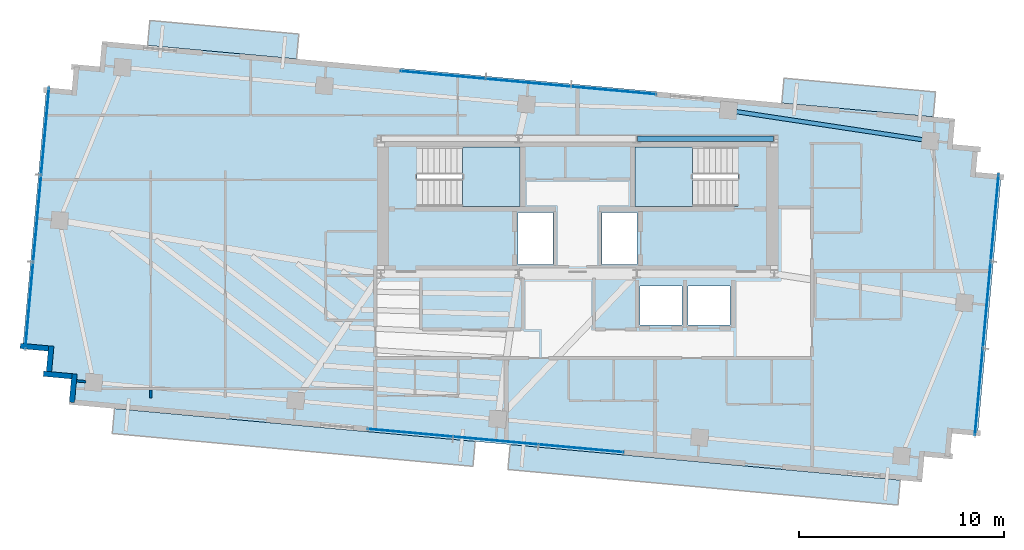
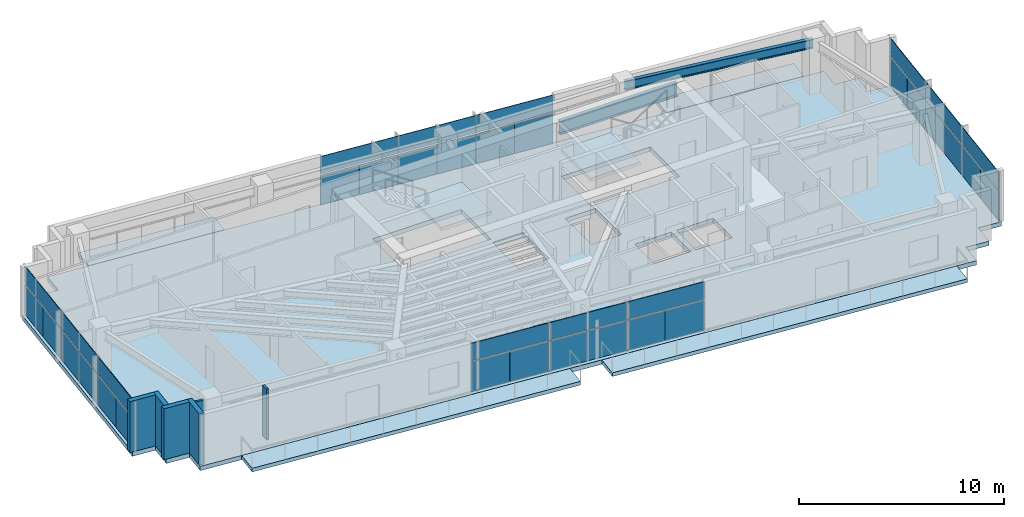
# One storey, part 15 of 22: 36 plates, 7 slabs, 6 walls, 2 beams, 6 elements without a shape of their own.
"""IFC4 building model written with IfcOpenShell, lengths in metres."""

from ifc_helpers import new_model, si_unit, direction, frame, frame_2d, origin, origin_2d, place, context, subcontext, project, spatial, polyline, rectangle, i_section, outline, extrude, source, transform, mapped, material, layer, layer_set, material_profile, profile_set, type_object, type_shapes, element, aggregate, save


model = new_model("IFC4")

# Units and contexts
model_context = context("Model", 3, precision=1e-05, world=origin(), true_north=direction((0.0, 1.0)))
body_context = subcontext(model_context, "Body", "Model", "MODEL_VIEW")
ifc_project = project(units=[si_unit("LENGTHUNIT", "METRE"), si_unit("AREAUNIT", "SQUARE_METRE"), si_unit("VOLUMEUNIT", "CUBIC_METRE"), si_unit("PLANEANGLEUNIT", "RADIAN"), si_unit("MASSUNIT", "GRAM", prefix="KILO")], contexts=[model_context])

# Site, building, storey
site_placement = place(None, origin())
site = spatial("IfcSite", under=ifc_project, at=site_placement, CompositionType="ELEMENT")
building_placement = place(site_placement, origin())
building = spatial("IfcBuilding", under=site, at=building_placement, Name="Astriad Promenade Condominiums", CompositionType="ELEMENT")
storey_placement = place(building_placement, frame((0.0, 0.0, 236.39990234375)))
storey = spatial("IfcBuildingStorey", under=building, at=storey_placement, Name="L68", CompositionType="ELEMENT", Elevation=236.39990234375)

# Beams
ifc_material_1 = material(Name="Steel ASTM A992 Grade 50", Category="steel")
ifc_material_profile_1 = material_profile(ifc_material_1, i_section(OverallWidth=0.267822265625, OverallDepth=0.76953125, WebThickness=0.015625, FlangeThickness=0.025390625, FilletRadius=0.021484375, at=origin_2d()), Name="W30X132")
ifc_profile_set_1 = profile_set([ifc_material_profile_1], Name="Steel ASTM A992 Grade 50")
beam_type_1 = type_object("IfcBeamType", Name="STEEL FLOOR GIRDER W30X132", PredefinedType="BEAM", material=ifc_profile_set_1)
shared_shape_1 = source(origin(), body_context, "Body", "SweptSolid", [
    extrude(i_section(OverallWidth=0.267822265625, OverallDepth=0.76953125, WebThickness=0.015625, FlangeThickness=0.025390625, FilletRadius=0.021484375, at=origin_2d()), origin(), (0.0, 0.0, 1.0), 6.64013671875),
])
type_shapes(beam_type_1, [shared_shape_1])
beam_1_placement = place(storey_placement, frame((38.919921875, 24.0, 2.6552734375), z_axis=(1.0, 0.0, 0.0), x_axis=(0.0, 1.0, 0.0)))
element("IfcBeam", 1, at=beam_1_placement, inside=storey, type_object=beam_type_1, Name="Core Ring Beam CG-N3-L68", PredefinedType="BEAM", context=body_context, shape_type="MappedRepresentation", body=[
    mapped(shared_shape_1, transform((0.0, 0.0, 0.0), scale=1.0)),
])
ifc_material_profile_2 = material_profile(ifc_material_1, i_section(OverallWidth=0.210693359375, OverallDepth=0.53955078125, WebThickness=0.01171875, FlangeThickness=0.018798828125, FilletRadius=0.0166015625, at=origin_2d()), Name="W21X73")
ifc_profile_set_2 = profile_set([ifc_material_profile_2], Name="Steel ASTM A992 Grade 50")
beam_type_2 = type_object("IfcBeamType", Name="STEEL SPANDREL BEAM W21X73", PredefinedType="SPANDREL", material=ifc_profile_set_2)
shared_shape_2 = source(origin(), body_context, "Body", "SweptSolid", [
    extrude(i_section(OverallWidth=0.210693359375, OverallDepth=0.53955078125, WebThickness=0.01171875, FlangeThickness=0.018798828125, FilletRadius=0.0166015625, at=origin_2d()), origin(), (0.0, 0.0, 1.0), 9.890869140625),
])
type_shapes(beam_type_2, [shared_shape_2])
beam_2_placement = place(storey_placement, frame((53.1787109375, 23.899658203125, 2.7705078125), z_axis=(-0.988827455442, 0.149064628143, 0.0), x_axis=(-0.149064628143, -0.988827455442, 0.0)))
element("IfcBeam", 2, at=beam_2_placement, inside=storey, type_object=beam_type_2, Name="Perimeter Spandrel Beam SP-N4-L68", PredefinedType="SPANDREL", context=body_context, shape_type="MappedRepresentation", body=[
    mapped(shared_shape_2, transform((0.0, 0.0, 0.0), scale=1.0)),
])

# Slab
ifc_material_2 = material(Name="Concrete C50/60", Category="concrete")
ifc_layer_1 = layer(ifc_material_2, 0.260009765625)
ifc_layer_set_1 = layer_set([ifc_layer_1], Name="Concrete C50/60")
slab_type_1 = type_object("IfcSlabType", Name="CONCRETE TOWER FLOOR SLAB 260", PredefinedType="FLOOR", material=ifc_layer_set_1)
slab_1_placement = place(storey_placement, frame((0.0, 0.0, -0.260009765625)))
element("IfcSlab", 3, at=slab_1_placement, inside=storey, type_object=slab_type_1, Name="Structural Floor Slab (L68)", PredefinedType="FLOOR", context=body_context, shape_type="SweptSolid", body=[
    extrude(outline(polyline([(11.179443359375, 11.03076171875), (52.807373046875, 7.242431640625), (52.920654296875, 8.4873046875), (54.16552734375, 8.3740234375), (54.27880859375, 9.618896484375), (55.523681640625, 9.505615234375), (56.68359375, 22.2529296875), (55.43896484375, 22.3662109375), (55.55224609375, 23.611083984375), (54.307373046875, 23.724365234375), (54.420654296875, 24.96923828125), (12.79248046875, 28.757568359375), (12.679443359375, 27.5126953125), (11.4345703125, 27.6259765625), (11.3212890625, 26.381103515625), (10.076416015625, 26.494384765625), (8.916259765625, 13.7470703125), (10.1611328125, 13.6337890625), (10.0478515625, 12.388916015625), (11.292724609375, 12.275634765625), (11.179443359375, 11.03076171875)]), holes=[polyline([(28.175048828125, 20.699951171875), (33.175048828125, 20.699951171875), (33.175048828125, 23.60009765625), (28.175048828125, 23.60009765625), (28.175048828125, 20.699951171875)]), polyline([(38.824951171875, 20.699951171875), (43.824951171875, 20.699951171875), (43.824951171875, 23.60009765625), (38.824951171875, 23.60009765625), (38.824951171875, 20.699951171875)]), polyline([(33.10009765625, 17.85009765625), (34.800048828125, 17.85009765625), (34.800048828125, 20.39990234375), (33.10009765625, 20.39990234375), (33.10009765625, 17.85009765625)]), polyline([(37.199951171875, 17.85009765625), (38.89990234375, 17.85009765625), (38.89990234375, 20.39990234375), (37.199951171875, 20.39990234375), (37.199951171875, 17.85009765625)]), polyline([(39.050048828125, 14.89990234375), (41.10009765625, 14.89990234375), (41.10009765625, 16.800048828125), (39.050048828125, 16.800048828125), (39.050048828125, 14.89990234375)]), polyline([(41.39990234375, 14.89990234375), (43.449951171875, 14.89990234375), (43.449951171875, 16.800048828125), (41.39990234375, 16.800048828125), (41.39990234375, 14.89990234375)])]), origin(), (0.0, 0.0, 1.0), 0.260009765625),
])

# Stair, slab
stair_type = type_object("IfcStairType", Name="STR-CORE-1350", PredefinedType="HALF_TURN_STAIR", material=ifc_material_2)
stair_1_placement = place(storey_placement, origin())
stair_1 = element("IfcStair", 4, at=stair_1_placement, inside=storey, type_object=stair_type, Name="L68 Enclosed Core Exit Stair ST-1", PredefinedType="HALF_TURN_STAIR")
ifc_layer_2 = layer(ifc_material_2, 0.219970703125)
ifc_layer_set_2 = layer_set([ifc_layer_2], Name="Concrete C50/60")
slab_type_2 = type_object("IfcSlabType", Name="SLB-LANDING-220", PredefinedType="LANDING", material=ifc_layer_set_2)
slab_2_placement = place(storey_placement, frame((0.0, 0.0, 1.4501953125)))
slab_2 = element("IfcSlab", 5, at=slab_2_placement, type_object=slab_type_2, Name="ST-1 landing 1", PredefinedType="LANDING", context=body_context, shape_type="SweptSolid", body=[
    extrude(outline(polyline([(30.389892578125, 20.699951171875), (33.199951171875, 20.699951171875), (33.199951171875, 23.60009765625), (30.389892578125, 23.60009765625), (30.389892578125, 20.699951171875)])), origin(), (0.0, 0.0, 1.0), 0.199951171875),
])
aggregate(stair_1, [slab_2])

stair_2_placement = place(storey_placement, origin())
stair_2 = element("IfcStair", 6, at=stair_2_placement, inside=storey, type_object=stair_type, Name="L68 Enclosed Core Exit Stair ST-2", PredefinedType="HALF_TURN_STAIR")
slab_3_placement = place(storey_placement, frame((0.0, 0.0, 1.4501953125)))
slab_3 = element("IfcSlab", 7, at=slab_3_placement, type_object=slab_type_2, Name="ST-2 landing 1", PredefinedType="LANDING", context=body_context, shape_type="SweptSolid", body=[
    extrude(outline(polyline([(41.610107421875, 23.60009765625), (38.800048828125, 23.60009765625), (38.800048828125, 20.699951171875), (41.610107421875, 20.699951171875), (41.610107421875, 23.60009765625)])), origin(), (0.0, 0.0, 1.0), 0.199951171875),
])
aggregate(stair_2, [slab_3])

# Slabs
ifc_material_3 = material(Name="Precast concrete C50/60", Category="concrete")
ifc_layer_3 = layer(ifc_material_3, 0.219970703125)
ifc_layer_set_3 = layer_set([ifc_layer_3], Name="Precast concrete C50/60")
slab_type_3 = type_object("IfcSlabType", Name="WHITE PRECAST CONCRETE WAVE BALCONY SLAB 220", PredefinedType="FLOOR", material=ifc_layer_set_3)
slab_4_placement = place(storey_placement, frame((0.0, 0.0, -0.219970703125)))
element("IfcSlab", 8, at=slab_4_placement, inside=storey, type_object=slab_type_3, Name="White Precast Wave Balcony Slab BAL-L68-SW", PredefinedType="FLOOR", context=body_context, shape_type="SweptSolid", body=[
    extrude(outline(polyline([(30.892822265625, 8.01171875), (13.29052734375, 9.61376953125), (13.40087890625, 10.82666015625), (31.00341796875, 9.224609375), (30.892822265625, 8.01171875)])), origin(), (0.0, 0.0, 1.0), 0.219970703125),
])
slab_5_placement = place(storey_placement, frame((0.0, 0.0, -0.219970703125)))
element("IfcSlab", 9, at=slab_5_placement, inside=storey, type_object=slab_type_3, Name="White Precast Wave Balcony Slab BAL-L68-SE", PredefinedType="FLOOR", context=body_context, shape_type="SweptSolid", body=[
    extrude(outline(polyline([(51.63623046875, 6.1240234375), (32.601806640625, 7.856201171875), (32.712158203125, 9.069091796875), (51.74658203125, 7.3369140625), (51.63623046875, 6.1240234375)])), origin(), (0.0, 0.0, 1.0), 0.219970703125),
])
slab_6_placement = place(storey_placement, frame((0.0, 0.0, -0.219970703125)))
element("IfcSlab", 10, at=slab_6_placement, inside=storey, type_object=slab_type_3, Name="White Precast Wave Balcony Slab BAL-L68-NW", PredefinedType="FLOOR", context=body_context, shape_type="SweptSolid", body=[
    extrude(outline(polyline([(15.014404296875, 28.555419921875), (22.283447265625, 27.893798828125), (22.39404296875, 29.10888671875), (15.125, 29.7705078125), (15.014404296875, 28.555419921875)])), origin(), (0.0, 0.0, 1.0), 0.219970703125),
])
slab_7_placement = place(storey_placement, frame((0.0, 0.0, -0.219970703125)))
element("IfcSlab", 11, at=slab_7_placement, inside=storey, type_object=slab_type_3, Name="White Precast Wave Balcony Slab BAL-L68-NE", PredefinedType="FLOOR", context=body_context, shape_type="SweptSolid", body=[
    extrude(outline(polyline([(46.076171875, 26.95361328125), (53.470703125, 26.28076171875), (53.360107421875, 25.067626953125), (45.9658203125, 25.740478515625), (46.076171875, 26.95361328125)])), origin(), (0.0, 0.0, 1.0), 0.219970703125),
])

# Curtain wall, plates
ifc_material_4 = material(Name="Anodised aluminium Black Dark Glass Unitised", Category="aluminium")
curtain_wall_type = type_object("IfcCurtainWallType", Name="CW-B5-DARK", PredefinedType="USERDEFINED", material=ifc_material_4)
curtain_wall_1_placement = place(storey_placement, origin())
curtain_wall_1 = element("IfcCurtainWall", 12, at=curtain_wall_1_placement, inside=storey, type_object=curtain_wall_type, Name="CW-L68-W", ObjectType="UNITISED_CURTAIN_WALL", PredefinedType="USERDEFINED")
ifc_material_5 = material(Name="Dark Tinted Low-E Laminated Glass", Category="glass")
ifc_layer_4 = layer(ifc_material_5, 0.035888671875)
ifc_layer_set_4 = layer_set([ifc_layer_4], Name="Dark Tinted Low-E Laminated Glass")
plate_type = type_object("IfcPlateType", Name="PNL-DARK-GLASS-36", PredefinedType="CURTAIN_PANEL", material=ifc_layer_set_4)
shared_shape_3 = source(origin(), body_context, "Body", "SweptSolid", [
    extrude(rectangle(XDim=2.121337890625, YDim=0.035888671875, at=origin_2d()), origin(), (0.0, 0.0, 1.0), 1.764892578125),
])
plate_1_placement = place(storey_placement, frame((9.142578125, 14.797607421875, 0.080078125), z_axis=(0.0, 0.0, 1.0), x_axis=(0.090632580198, 0.995884398616, 0.0)))
plate_1 = element("IfcPlate", 13, at=plate_1_placement, type_object=plate_type, Name="CW-L68-W-PNL-00-VL", PredefinedType="CURTAIN_PANEL", context=body_context, shape_type="MappedRepresentation", body=[
    mapped(shared_shape_3, transform((0.0, 0.0, 0.0), scale=1.0)),
])
plate_2_placement = place(storey_placement, frame((9.335693359375, 16.922119140625, 0.080078125), z_axis=(0.0, 0.0, 1.0), x_axis=(0.090632580198, 0.995884398616, 0.0)))
plate_2 = element("IfcPlate", 14, at=plate_2_placement, type_object=plate_type, Name="CW-L68-W-PNL-00-VR", PredefinedType="CURTAIN_PANEL", context=body_context, shape_type="MappedRepresentation", body=[
    mapped(shared_shape_3, transform((0.0, 0.0, 0.0), scale=1.0)),
])
plate_3_placement = place(storey_placement, frame((9.529296875, 19.046630859375, 0.080078125), z_axis=(0.0, 0.0, 1.0), x_axis=(0.090632580198, 0.995884398616, 0.0)))
plate_3 = element("IfcPlate", 15, at=plate_3_placement, type_object=plate_type, Name="CW-L68-W-PNL-01-VL", PredefinedType="CURTAIN_PANEL", context=body_context, shape_type="MappedRepresentation", body=[
    mapped(shared_shape_3, transform((0.0, 0.0, 0.0), scale=1.0)),
])
plate_4_placement = place(storey_placement, frame((9.722412109375, 21.17138671875, 0.080078125), z_axis=(0.0, 0.0, 1.0), x_axis=(0.090632580198, 0.995884398616, 0.0)))
plate_4 = element("IfcPlate", 16, at=plate_4_placement, type_object=plate_type, Name="CW-L68-W-PNL-01-VR", PredefinedType="CURTAIN_PANEL", context=body_context, shape_type="MappedRepresentation", body=[
    mapped(shared_shape_3, transform((0.0, 0.0, 0.0), scale=1.0)),
])
plate_5_placement = place(storey_placement, frame((9.916015625, 23.2958984375, 0.080078125), z_axis=(0.0, 0.0, 1.0), x_axis=(0.090632580198, 0.995884398616, 0.0)))
plate_5 = element("IfcPlate", 17, at=plate_5_placement, type_object=plate_type, Name="CW-L68-W-PNL-02-VL", PredefinedType="CURTAIN_PANEL", context=body_context, shape_type="MappedRepresentation", body=[
    mapped(shared_shape_3, transform((0.0, 0.0, 0.0), scale=1.0)),
])
plate_6_placement = place(storey_placement, frame((10.109130859375, 25.42041015625, 0.080078125), z_axis=(0.0, 0.0, 1.0), x_axis=(0.090632580198, 0.995884398616, 0.0)))
plate_6 = element("IfcPlate", 18, at=plate_6_placement, type_object=plate_type, Name="CW-L68-W-PNL-02-VR", PredefinedType="CURTAIN_PANEL", context=body_context, shape_type="MappedRepresentation", body=[
    mapped(shared_shape_3, transform((0.0, 0.0, 0.0), scale=1.0)),
])

curtain_wall_2_placement = place(storey_placement, origin())
curtain_wall_2 = element("IfcCurtainWall", 19, at=curtain_wall_2_placement, inside=storey, type_object=curtain_wall_type, Name="CW-L68-E", ObjectType="UNITISED_CURTAIN_WALL", PredefinedType="USERDEFINED")
plate_7_placement = place(storey_placement, frame((56.45751953125, 21.202392578125, 0.080078125), z_axis=(0.0, 0.0, 1.0), x_axis=(-0.090632580198, -0.995884398616, 0.0)))
plate_7 = element("IfcPlate", 20, at=plate_7_placement, type_object=plate_type, Name="CW-L68-E-PNL-00-VL", PredefinedType="CURTAIN_PANEL", context=body_context, shape_type="MappedRepresentation", body=[
    mapped(shared_shape_3, transform((0.0, 0.0, 0.0), scale=1.0)),
])
plate_8_placement = place(storey_placement, frame((56.26416015625, 19.077880859375, 0.080078125), z_axis=(0.0, 0.0, 1.0), x_axis=(-0.090632580198, -0.995884398616, 0.0)))
plate_8 = element("IfcPlate", 21, at=plate_8_placement, type_object=plate_type, Name="CW-L68-E-PNL-00-VR", PredefinedType="CURTAIN_PANEL", context=body_context, shape_type="MappedRepresentation", body=[
    mapped(shared_shape_3, transform((0.0, 0.0, 0.0), scale=1.0)),
])
plate_9_placement = place(storey_placement, frame((56.07080078125, 16.953369140625, 0.080078125), z_axis=(0.0, 0.0, 1.0), x_axis=(-0.090632580198, -0.995884398616, 0.0)))
plate_9 = element("IfcPlate", 22, at=plate_9_placement, type_object=plate_type, Name="CW-L68-E-PNL-01-VL", PredefinedType="CURTAIN_PANEL", context=body_context, shape_type="MappedRepresentation", body=[
    mapped(shared_shape_3, transform((0.0, 0.0, 0.0), scale=1.0)),
])
plate_10_placement = place(storey_placement, frame((55.87744140625, 14.82861328125, 0.080078125), z_axis=(0.0, 0.0, 1.0), x_axis=(-0.090632580198, -0.995884398616, 0.0)))
plate_10 = element("IfcPlate", 23, at=plate_10_placement, type_object=plate_type, Name="CW-L68-E-PNL-01-VR", PredefinedType="CURTAIN_PANEL", context=body_context, shape_type="MappedRepresentation", body=[
    mapped(shared_shape_3, transform((0.0, 0.0, 0.0), scale=1.0)),
])
plate_11_placement = place(storey_placement, frame((55.68408203125, 12.7041015625, 0.080078125), z_axis=(0.0, 0.0, 1.0), x_axis=(-0.090632580198, -0.995884398616, 0.0)))
plate_11 = element("IfcPlate", 24, at=plate_11_placement, type_object=plate_type, Name="CW-L68-E-PNL-02-VL", PredefinedType="CURTAIN_PANEL", context=body_context, shape_type="MappedRepresentation", body=[
    mapped(shared_shape_3, transform((0.0, 0.0, 0.0), scale=1.0)),
])
plate_12_placement = place(storey_placement, frame((55.49072265625, 10.57958984375, 0.080078125), z_axis=(0.0, 0.0, 1.0), x_axis=(-0.090632580198, -0.995884398616, 0.0)))
plate_12 = element("IfcPlate", 25, at=plate_12_placement, type_object=plate_type, Name="CW-L68-E-PNL-02-VR", PredefinedType="CURTAIN_PANEL", context=body_context, shape_type="MappedRepresentation", body=[
    mapped(shared_shape_3, transform((0.0, 0.0, 0.0), scale=1.0)),
])

# Plate
shared_shape_4 = source(origin(), body_context, "Body", "SweptSolid", [
    extrude(rectangle(XDim=4.254638671875, YDim=0.035888671875, at=origin_2d()), origin(), (0.0, 0.0, 1.0), 1.03515625),
])
plate_13_placement = place(storey_placement, frame((9.239013671875, 15.85986328125, 1.9248046875), z_axis=(0.0, 0.0, 1.0), x_axis=(0.090632580198, 0.995884398616, 0.0)))
plate_13 = element("IfcPlate", 26, at=plate_13_placement, type_object=plate_type, Name="CW-L68-W-PNL-00-S", PredefinedType="CURTAIN_PANEL", context=body_context, shape_type="MappedRepresentation", body=[
    mapped(shared_shape_4, transform((0.0, 0.0, 0.0), scale=1.0)),
])

plate_14_placement = place(storey_placement, frame((9.625732421875, 20.10888671875, 1.9248046875), z_axis=(0.0, 0.0, 1.0), x_axis=(0.090632580198, 0.995884398616, 0.0)))
plate_14 = element("IfcPlate", 27, at=plate_14_placement, type_object=plate_type, Name="CW-L68-W-PNL-01-S", PredefinedType="CURTAIN_PANEL", context=body_context, shape_type="MappedRepresentation", body=[
    mapped(shared_shape_4, transform((0.0, 0.0, 0.0), scale=1.0)),
])

plate_15_placement = place(storey_placement, frame((10.0126953125, 24.358154296875, 1.9248046875), z_axis=(0.0, 0.0, 1.0), x_axis=(0.090632580198, 0.995884398616, 0.0)))
plate_15 = element("IfcPlate", 28, at=plate_15_placement, type_object=plate_type, Name="CW-L68-W-PNL-02-S", PredefinedType="CURTAIN_PANEL", context=body_context, shape_type="MappedRepresentation", body=[
    mapped(shared_shape_4, transform((0.0, 0.0, 0.0), scale=1.0)),
])

aggregate(curtain_wall_1, [plate_1, plate_2, plate_13, plate_3, plate_4, plate_14, plate_5, plate_6, plate_15])

plate_16_placement = place(storey_placement, frame((56.36083984375, 20.14013671875, 1.9248046875), z_axis=(0.0, 0.0, 1.0), x_axis=(-0.090632580198, -0.995884398616, 0.0)))
plate_16 = element("IfcPlate", 29, at=plate_16_placement, type_object=plate_type, Name="CW-L68-E-PNL-00-S", PredefinedType="CURTAIN_PANEL", context=body_context, shape_type="MappedRepresentation", body=[
    mapped(shared_shape_4, transform((0.0, 0.0, 0.0), scale=1.0)),
])

plate_17_placement = place(storey_placement, frame((55.97412109375, 15.89111328125, 1.9248046875), z_axis=(0.0, 0.0, 1.0), x_axis=(-0.090632580198, -0.995884398616, 0.0)))
plate_17 = element("IfcPlate", 30, at=plate_17_placement, type_object=plate_type, Name="CW-L68-E-PNL-01-S", PredefinedType="CURTAIN_PANEL", context=body_context, shape_type="MappedRepresentation", body=[
    mapped(shared_shape_4, transform((0.0, 0.0, 0.0), scale=1.0)),
])

plate_18_placement = place(storey_placement, frame((55.58740234375, 11.641845703125, 1.9248046875), z_axis=(0.0, 0.0, 1.0), x_axis=(-0.090632580198, -0.995884398616, 0.0)))
plate_18 = element("IfcPlate", 31, at=plate_18_placement, type_object=plate_type, Name="CW-L68-E-PNL-02-S", PredefinedType="CURTAIN_PANEL", context=body_context, shape_type="MappedRepresentation", body=[
    mapped(shared_shape_4, transform((0.0, 0.0, 0.0), scale=1.0)),
])

aggregate(curtain_wall_2, [plate_7, plate_8, plate_16, plate_9, plate_10, plate_17, plate_11, plate_12, plate_18])

# Curtain wall, plates
curtain_wall_3_placement = place(storey_placement, origin())
curtain_wall_3 = element("IfcCurtainWall", 32, at=curtain_wall_3_placement, inside=storey, type_object=curtain_wall_type, Name="CW-L68-N", ObjectType="UNITISED_CURTAIN_WALL", PredefinedType="USERDEFINED")
shared_shape_5 = source(origin(), body_context, "Body", "SweptSolid", [
    extrude(rectangle(XDim=2.077880859375, YDim=0.035888671875, at=origin_2d()), origin(), (0.0, 0.0, 1.0), 1.764892578125),
])
plate_19_placement = place(storey_placement, frame((28.391357421875, 27.20751953125, 0.080078125), z_axis=(0.0, 0.0, 1.0), x_axis=(0.995884398616, -0.090632580198, 0.0)))
plate_19 = element("IfcPlate", 33, at=plate_19_placement, type_object=plate_type, Name="CW-L68-N-PNL-00-VL", PredefinedType="CURTAIN_PANEL", context=body_context, shape_type="MappedRepresentation", body=[
    mapped(shared_shape_5, transform((0.0, 0.0, 0.0), scale=1.0)),
])
plate_20_placement = place(storey_placement, frame((30.47265625, 27.01806640625, 0.080078125), z_axis=(0.0, 0.0, 1.0), x_axis=(0.995884398616, -0.090632580198, 0.0)))
plate_20 = element("IfcPlate", 34, at=plate_20_placement, type_object=plate_type, Name="CW-L68-N-PNL-00-VR", PredefinedType="CURTAIN_PANEL", context=body_context, shape_type="MappedRepresentation", body=[
    mapped(shared_shape_5, transform((0.0, 0.0, 0.0), scale=1.0)),
])
plate_21_placement = place(storey_placement, frame((32.55419921875, 26.82861328125, 0.080078125), z_axis=(0.0, 0.0, 1.0), x_axis=(0.995884398616, -0.090632580198, 0.0)))
plate_21 = element("IfcPlate", 35, at=plate_21_placement, type_object=plate_type, Name="CW-L68-N-PNL-01-VL", PredefinedType="CURTAIN_PANEL", context=body_context, shape_type="MappedRepresentation", body=[
    mapped(shared_shape_5, transform((0.0, 0.0, 0.0), scale=1.0)),
])
plate_22_placement = place(storey_placement, frame((34.635498046875, 26.63916015625, 0.080078125), z_axis=(0.0, 0.0, 1.0), x_axis=(0.995884398616, -0.090632580198, 0.0)))
plate_22 = element("IfcPlate", 36, at=plate_22_placement, type_object=plate_type, Name="CW-L68-N-PNL-01-VR", PredefinedType="CURTAIN_PANEL", context=body_context, shape_type="MappedRepresentation", body=[
    mapped(shared_shape_5, transform((0.0, 0.0, 0.0), scale=1.0)),
])
plate_23_placement = place(storey_placement, frame((36.716796875, 26.44970703125, 0.080078125), z_axis=(0.0, 0.0, 1.0), x_axis=(0.995884398616, -0.090632580198, 0.0)))
plate_23 = element("IfcPlate", 37, at=plate_23_placement, type_object=plate_type, Name="CW-L68-N-PNL-02-VL", PredefinedType="CURTAIN_PANEL", context=body_context, shape_type="MappedRepresentation", body=[
    mapped(shared_shape_5, transform((0.0, 0.0, 0.0), scale=1.0)),
])
plate_24_placement = place(storey_placement, frame((38.79833984375, 26.26025390625, 0.080078125), z_axis=(0.0, 0.0, 1.0), x_axis=(0.995884398616, -0.090632580198, 0.0)))
plate_24 = element("IfcPlate", 38, at=plate_24_placement, type_object=plate_type, Name="CW-L68-N-PNL-02-VR", PredefinedType="CURTAIN_PANEL", context=body_context, shape_type="MappedRepresentation", body=[
    mapped(shared_shape_5, transform((0.0, 0.0, 0.0), scale=1.0)),
])

curtain_wall_4_placement = place(storey_placement, origin())
curtain_wall_4 = element("IfcCurtainWall", 39, at=curtain_wall_4_placement, inside=storey, type_object=curtain_wall_type, Name="CW-L68-S", ObjectType="UNITISED_CURTAIN_WALL", PredefinedType="USERDEFINED")
plate_25_placement = place(storey_placement, frame((37.208740234375, 8.79248046875, 0.080078125), z_axis=(0.0, 0.0, 1.0), x_axis=(-0.995884398616, 0.090632580198, 0.0)))
plate_25 = element("IfcPlate", 40, at=plate_25_placement, type_object=plate_type, Name="CW-L68-S-PNL-00-VL", PredefinedType="CURTAIN_PANEL", context=body_context, shape_type="MappedRepresentation", body=[
    mapped(shared_shape_5, transform((0.0, 0.0, 0.0), scale=1.0)),
])
plate_26_placement = place(storey_placement, frame((35.127197265625, 8.98193359375, 0.080078125), z_axis=(0.0, 0.0, 1.0), x_axis=(-0.995884398616, 0.090632580198, 0.0)))
plate_26 = element("IfcPlate", 41, at=plate_26_placement, type_object=plate_type, Name="CW-L68-S-PNL-00-VR", PredefinedType="CURTAIN_PANEL", context=body_context, shape_type="MappedRepresentation", body=[
    mapped(shared_shape_5, transform((0.0, 0.0, 0.0), scale=1.0)),
])
plate_27_placement = place(storey_placement, frame((33.0458984375, 9.17138671875, 0.080078125), z_axis=(0.0, 0.0, 1.0), x_axis=(-0.995884398616, 0.090632580198, 0.0)))
plate_27 = element("IfcPlate", 42, at=plate_27_placement, type_object=plate_type, Name="CW-L68-S-PNL-01-VL", PredefinedType="CURTAIN_PANEL", context=body_context, shape_type="MappedRepresentation", body=[
    mapped(shared_shape_5, transform((0.0, 0.0, 0.0), scale=1.0)),
])
plate_28_placement = place(storey_placement, frame((30.964599609375, 9.36083984375, 0.080078125), z_axis=(0.0, 0.0, 1.0), x_axis=(-0.995884398616, 0.090632580198, 0.0)))
plate_28 = element("IfcPlate", 43, at=plate_28_placement, type_object=plate_type, Name="CW-L68-S-PNL-01-VR", PredefinedType="CURTAIN_PANEL", context=body_context, shape_type="MappedRepresentation", body=[
    mapped(shared_shape_5, transform((0.0, 0.0, 0.0), scale=1.0)),
])
plate_29_placement = place(storey_placement, frame((28.883056640625, 9.55029296875, 0.080078125), z_axis=(0.0, 0.0, 1.0), x_axis=(-0.995884398616, 0.090632580198, 0.0)))
plate_29 = element("IfcPlate", 44, at=plate_29_placement, type_object=plate_type, Name="CW-L68-S-PNL-02-VL", PredefinedType="CURTAIN_PANEL", context=body_context, shape_type="MappedRepresentation", body=[
    mapped(shared_shape_5, transform((0.0, 0.0, 0.0), scale=1.0)),
])
plate_30_placement = place(storey_placement, frame((26.8017578125, 9.73974609375, 0.080078125), z_axis=(0.0, 0.0, 1.0), x_axis=(-0.995884398616, 0.090632580198, 0.0)))
plate_30 = element("IfcPlate", 45, at=plate_30_placement, type_object=plate_type, Name="CW-L68-S-PNL-02-VR", PredefinedType="CURTAIN_PANEL", context=body_context, shape_type="MappedRepresentation", body=[
    mapped(shared_shape_5, transform((0.0, 0.0, 0.0), scale=1.0)),
])

# Plate
shared_shape_6 = source(origin(), body_context, "Body", "SweptSolid", [
    extrude(rectangle(XDim=4.16796875, YDim=0.035888671875, at=origin_2d()), origin(), (0.0, 0.0, 1.0), 1.03515625),
])
type_shapes(plate_type, [shared_shape_3, shared_shape_4, shared_shape_5, shared_shape_6])
plate_31_placement = place(storey_placement, frame((29.431884765625, 27.11279296875, 1.9248046875), z_axis=(0.0, 0.0, 1.0), x_axis=(0.995884398616, -0.090632580198, 0.0)))
plate_31 = element("IfcPlate", 46, at=plate_31_placement, type_object=plate_type, Name="CW-L68-N-PNL-00-S", PredefinedType="CURTAIN_PANEL", context=body_context, shape_type="MappedRepresentation", body=[
    mapped(shared_shape_6, transform((0.0, 0.0, 0.0), scale=1.0)),
])

plate_32_placement = place(storey_placement, frame((33.5947265625, 26.73388671875, 1.9248046875), z_axis=(0.0, 0.0, 1.0), x_axis=(0.995884398616, -0.090632580198, 0.0)))
plate_32 = element("IfcPlate", 47, at=plate_32_placement, type_object=plate_type, Name="CW-L68-N-PNL-01-S", PredefinedType="CURTAIN_PANEL", context=body_context, shape_type="MappedRepresentation", body=[
    mapped(shared_shape_6, transform((0.0, 0.0, 0.0), scale=1.0)),
])

plate_33_placement = place(storey_placement, frame((37.757568359375, 26.35498046875, 1.9248046875), z_axis=(0.0, 0.0, 1.0), x_axis=(0.995884398616, -0.090632580198, 0.0)))
plate_33 = element("IfcPlate", 48, at=plate_33_placement, type_object=plate_type, Name="CW-L68-N-PNL-02-S", PredefinedType="CURTAIN_PANEL", context=body_context, shape_type="MappedRepresentation", body=[
    mapped(shared_shape_6, transform((0.0, 0.0, 0.0), scale=1.0)),
])

aggregate(curtain_wall_3, [plate_19, plate_20, plate_31, plate_21, plate_22, plate_32, plate_23, plate_24, plate_33])

plate_34_placement = place(storey_placement, frame((36.16796875, 8.88720703125, 1.9248046875), z_axis=(0.0, 0.0, 1.0), x_axis=(-0.995884398616, 0.090632580198, 0.0)))
plate_34 = element("IfcPlate", 49, at=plate_34_placement, type_object=plate_type, Name="CW-L68-S-PNL-00-S", PredefinedType="CURTAIN_PANEL", context=body_context, shape_type="MappedRepresentation", body=[
    mapped(shared_shape_6, transform((0.0, 0.0, 0.0), scale=1.0)),
])

plate_35_placement = place(storey_placement, frame((32.005126953125, 9.26611328125, 1.9248046875), z_axis=(0.0, 0.0, 1.0), x_axis=(-0.995884398616, 0.090632580198, 0.0)))
plate_35 = element("IfcPlate", 50, at=plate_35_placement, type_object=plate_type, Name="CW-L68-S-PNL-01-S", PredefinedType="CURTAIN_PANEL", context=body_context, shape_type="MappedRepresentation", body=[
    mapped(shared_shape_6, transform((0.0, 0.0, 0.0), scale=1.0)),
])

plate_36_placement = place(storey_placement, frame((27.84228515625, 9.64501953125, 1.9248046875), z_axis=(0.0, 0.0, 1.0), x_axis=(-0.995884398616, 0.090632580198, 0.0)))
plate_36 = element("IfcPlate", 51, at=plate_36_placement, type_object=plate_type, Name="CW-L68-S-PNL-02-S", PredefinedType="CURTAIN_PANEL", context=body_context, shape_type="MappedRepresentation", body=[
    mapped(shared_shape_6, transform((0.0, 0.0, 0.0), scale=1.0)),
])

aggregate(curtain_wall_4, [plate_25, plate_26, plate_34, plate_27, plate_28, plate_35, plate_29, plate_30, plate_36])

# Walls
ifc_layer_5 = layer(ifc_material_3, 0.260009765625)
ifc_layer_set_5 = layer_set([ifc_layer_5], Name="Precast concrete C50/60")
wall_type_1 = type_object("IfcWallType", Name="WALL-EXT-TWR-260", PredefinedType="STANDARD", material=ifc_layer_set_5)
wall_1_placement = place(storey_placement, frame((11.3193359375, 12.40380859375, 0.0), z_axis=(0.0, 0.0, 1.0), x_axis=(-0.995881721538, 0.090661991521, 0.0)))
element("IfcWall", 52, at=wall_1_placement, inside=storey, type_object=wall_type_1, Name="W-SER-L68-00", PredefinedType="STANDARD", context=body_context, shape_type="SweptSolid", body=[
    extrude(rectangle(XDim=1.39501953125, YDim=0.260009765625, at=frame_2d((0.697509765625, 0.0))), origin(), (0.0, 0.0, 1.0), 3.0400390625),
])
wall_2_placement = place(storey_placement, frame((10.187744140625, 12.49169921875, 0.0), z_axis=(0.0, 0.0, 1.0), x_axis=(0.090646191665, 0.995883159782, 0.0)))
element("IfcWall", 53, at=wall_2_placement, inside=storey, type_object=wall_type_1, Name="W-SER-L68-01", PredefinedType="STANDARD", context=body_context, shape_type="SweptSolid", body=[
    extrude(rectangle(XDim=1.395263671875, YDim=0.260009765625, at=frame_2d((0.69775390625, 0.0))), origin(), (0.0, 0.0, 1.0), 3.0400390625),
])
for number, where, z_axis, x_axis, name in (
    (54, (10.187744140625, 13.761962890625, 0.0), (0.0, 0.0, 1.0), (-0.995881721538, 0.090661991521, 0.0), "W-SER-L68-02"),
    (55, (11.3193359375, 11.133544921875, 0.0), (0.0, 0.0, 1.0), (0.090661991521, 0.995881721538, 0.0), "W-SER-L68-19"),
):
    element("IfcWall", number, at=place(storey_placement, frame(where, z_axis=z_axis, x_axis=x_axis)), inside=storey, type_object=wall_type_1, Name=name, PredefinedType="STANDARD", context=body_context, shape_type="SweptSolid", body=[
        extrude(rectangle(XDim=1.39501953125, YDim=0.260009765625, at=frame_2d((0.697509765625, 0.0))), origin(), (0.0, 0.0, 1.0), 3.0400390625),
    ])
ifc_material_6 = material(Name="Acoustic Metal-Stud Gypsum Partition")
ifc_layer_6 = layer(ifc_material_6, 0.1201171875)
ifc_layer_set_6 = layer_set([ifc_layer_6], Name="Acoustic Metal-Stud Gypsum Partition")
wall_type_2 = type_object("IfcWallType", Name="WALL-PART-120", PredefinedType="PARTITIONING", material=ifc_layer_set_6)
wall_3_placement = place(storey_placement, frame((15.172119140625, 11.35595703125, 0.0), z_axis=(0.0, 0.0, 1.0), x_axis=(0.0, 1.0, 0.0)))
element("IfcWall", 56, at=wall_3_placement, inside=storey, type_object=wall_type_2, Name="PT-L68-W1-WDV3", PredefinedType="PARTITIONING", context=body_context, shape_type="SweptSolid", body=[
    extrude(rectangle(XDim=0.3779296875, YDim=0.1201171875, at=frame_2d((0.18896484375, 0.0))), origin(), (0.0, 0.0, 1.0), 3.0400390625),
])
wall_4_placement = place(storey_placement, frame((12.00341796875, 12.140625, 0.0), z_axis=(0.0, 0.0, 1.0), x_axis=(-0.995884462012, 0.090631883588, 0.0)))
element("IfcWall", 57, at=wall_4_placement, inside=storey, type_object=wall_type_2, Name="PT-PIL-L68-PC01-8", PredefinedType="PARTITIONING", context=body_context, shape_type="SweptSolid", body=[
    extrude(rectangle(XDim=0.4580078125, YDim=0.1201171875, at=frame_2d((0.22900390625, 0.0))), origin(), (0.0, 0.0, 1.0), 3.0400390625),
])

save(model, "model.ifc")
